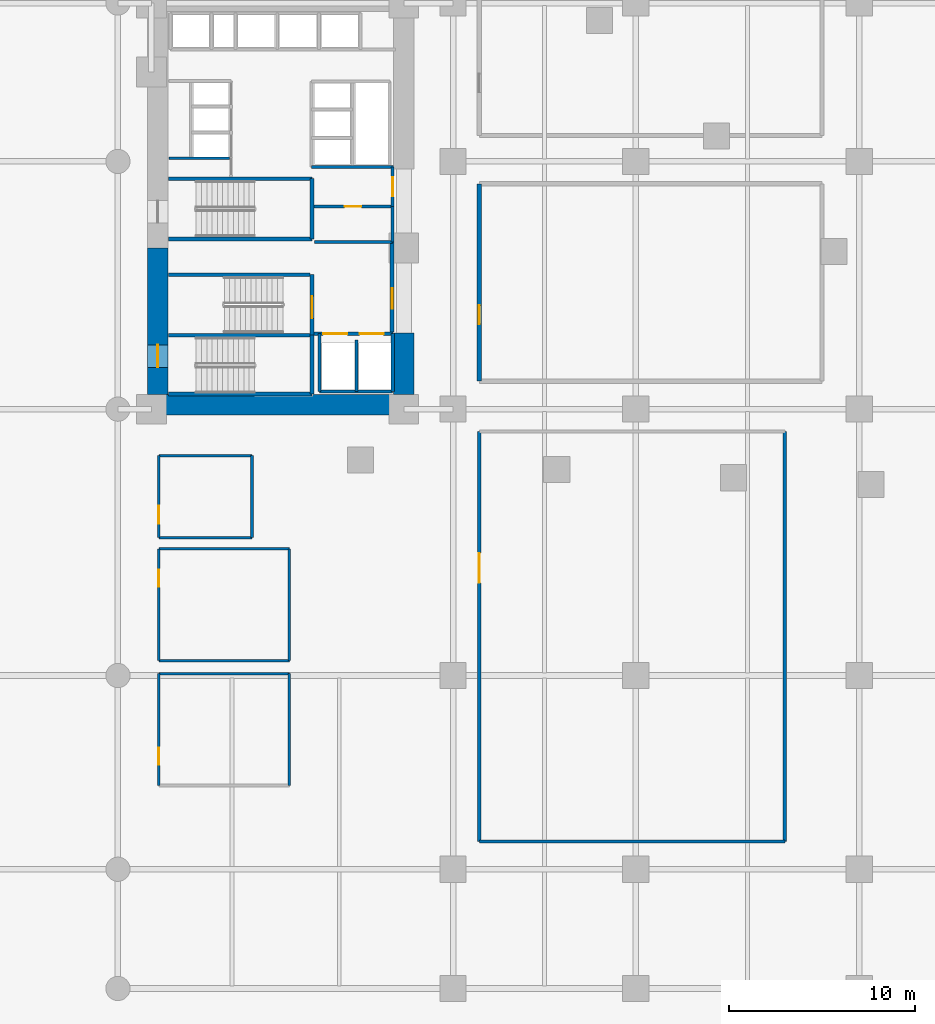
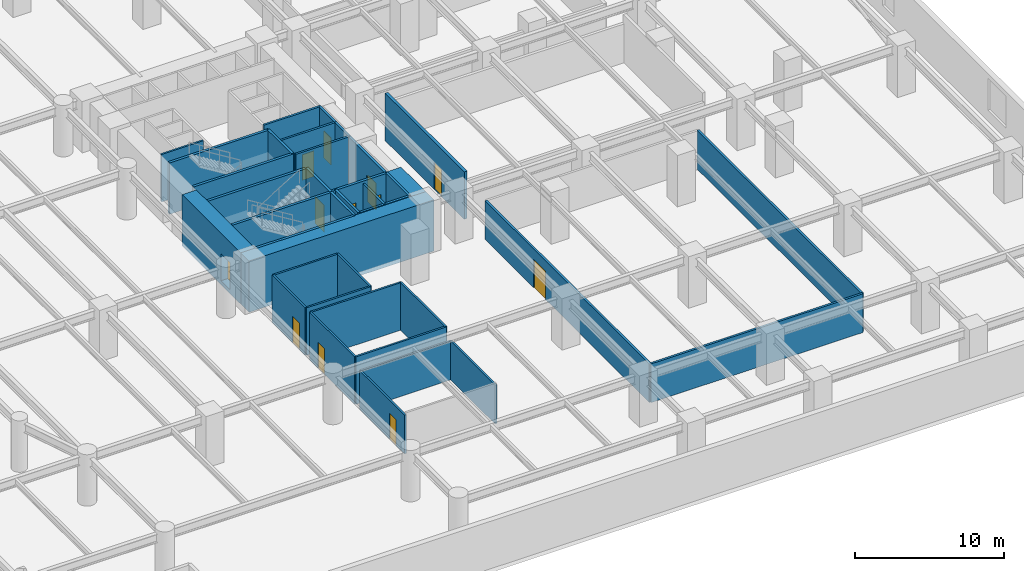
# One storey, part 7 of 22: 38 walls, 12 doors, 12 openings.
"""IFC4 building model written with IfcOpenShell, lengths in metres."""

from ifc_helpers import new_model, si_unit, direction, frame, frame_2d, origin, place, context, subcontext, project, spatial, rectangle, extrude, material, layer, layer_set, type_object, element, fill, save


model = new_model("IFC4")

# Units and contexts
model_context = context("Model", 3, precision=1e-05, world=origin(), true_north=direction((0.0, 1.0)))
body_context = subcontext(model_context, "Body", "Model", "MODEL_VIEW")
ifc_project = project(units=[si_unit("LENGTHUNIT", "METRE"), si_unit("AREAUNIT", "SQUARE_METRE"), si_unit("VOLUMEUNIT", "CUBIC_METRE"), si_unit("PLANEANGLEUNIT", "RADIAN"), si_unit("MASSUNIT", "GRAM", prefix="KILO")], contexts=[model_context])

# Site, building, storey
site_placement = place(None, origin())
site = spatial("IfcSite", under=ifc_project, at=site_placement, CompositionType="ELEMENT")
building_placement = place(site_placement, origin())
building = spatial("IfcBuilding", under=site, at=building_placement, Name="Narakoshi Arena Tower", CompositionType="ELEMENT")
storey_placement = place(building_placement, frame((0.0, 0.0, 13.199951171875)))
storey = spatial("IfcBuildingStorey", under=building, at=storey_placement, Name="L03", CompositionType="ELEMENT", Elevation=13.199951171875)

# Wall, opening, door
ifc_material_1 = material(Name="Concrete C40/50", Category="concrete")
ifc_layer_1 = layer(ifc_material_1, 0.219970703125)
ifc_layer_set_1 = layer_set([ifc_layer_1], Name="Concrete C40/50")
wall_type_1 = type_object("IfcWallType", Name="WL-COMP-220", PredefinedType="SOLIDWALL", material=ifc_layer_set_1)
wall_1_placement = place(storey_placement, frame((89.60009765625, 46.800048828125, 0.0), z_axis=(0.0, 0.0, 1.0), x_axis=(0.0, -1.0, 0.0)))
wall_1 = element("IfcWall", 1, at=wall_1_placement, inside=storey, type_object=wall_type_1, Name="L03 Television Broadcast Studio 1 Wall W", PredefinedType="SOLIDWALL", context=body_context, shape_type="SweptSolid", body=[
    extrude(rectangle(XDim=10.60009765625, YDim=0.219970703125, at=frame_2d((5.300048828125, 0.0))), origin(), (0.0, 0.0, 1.0), 3.880126953125),
])
opening_1_placement = place(wall_1_placement, frame((6.528076171875, 0.0, 0.0)))
opening_1 = element("IfcOpeningElement", 2, at=opening_1_placement, cuts=wall_1, Name="Opening D-06", PredefinedType="OPENING", context=body_context, shape_type="SweptSolid", body=[
    extrude(rectangle(XDim=1.0, YDim=2.199951171875, at=frame_2d((0.5, 1.10009765625))), frame((0.0, 0.119873046875, 0.0), z_axis=(0.0, -1.0, 0.0), x_axis=(1.0, 0.0, 0.0)), (0.0, 0.0, 1.0), 0.239990234375),
])
ifc_material_2 = material(Name="Stained oak solid-core timber", Category="wood")
door_type_1 = type_object("IfcDoorType", Name="DR-OFF-1000", OperationType="NOTDEFINED", PredefinedType="DOOR", material=ifc_material_2)
door_1_placement = place(opening_1_placement, frame((1.0, 0.0, 0.0), z_axis=(0.0, 0.0, 1.0), x_axis=(-1.0, 0.0, 0.0)))
door_1 = element("IfcDoor", 3, at=door_1_placement, inside=storey, type_object=door_type_1, Name="DR-L03-026", OperationType="SINGLE_SWING_LEFT", OverallHeight=2.199951171875, OverallWidth=1.0, PredefinedType="DOOR", context=body_context, shape_type="SweptSolid", body=[
    extrude(rectangle(XDim=1.0, YDim=2.199951171875, at=frame_2d((0.5, 1.10009765625))), frame((0.0, 0.02490234375, 0.0), z_axis=(0.0, -1.0, 0.0), x_axis=(1.0, 0.0, 0.0)), (0.0, 0.0, 1.0), 0.050048828125),
])
fill(opening_1, door_1)

ifc_material_3 = material(Name="Concrete C60/75", Category="concrete")
ifc_layer_2 = layer(ifc_material_3, 1.10009765625)
ifc_layer_set_2 = layer_set([ifc_layer_2], Name="Concrete C60/75")
wall_type_2 = type_object("IfcWallType", Name="WL-CORE-1100", PredefinedType="SHEAR", material=ifc_layer_set_2)
wall_2_placement = place(storey_placement, frame((72.35009765625, 35.5, -0.320068359375), z_axis=(0.0, 0.0, 1.0), x_axis=(0.0, 1.0, 0.0)))
wall_2 = element("IfcWall", 4, at=wall_2_placement, inside=storey, type_object=wall_type_2, Name="L03 Central Core Shear Wall CW-APX-W", PredefinedType="SHEAR", context=body_context, shape_type="SweptSolid", body=[
    extrude(rectangle(XDim=7.85009765625, YDim=1.10009765625, at=frame_2d((3.925048828125, 0.0))), origin(), (0.0, 0.0, 1.0), 4.2001953125),
])
opening_2_placement = place(wall_2_placement, frame((1.449951171875, 0.0, 0.320068359375)))
opening_2 = element("IfcOpeningElement", 5, at=opening_2_placement, cuts=wall_2, Name="Opening D-03", PredefinedType="OPENING", context=body_context, shape_type="SweptSolid", body=[
    extrude(rectangle(XDim=1.199951171875, YDim=2.199951171875, at=frame_2d((0.60009765625, 1.10009765625))), frame((0.0, 0.56005859375, 0.0), z_axis=(0.0, -1.0, 0.0), x_axis=(1.0, 0.0, 0.0)), (0.0, 0.0, 1.0), 1.1201171875),
])
ifc_material_4 = material(Name="Painted galvanized steel", Category="steel")
door_type_2 = type_object("IfcDoorType", Name="DR-STR-1200", OperationType="NOTDEFINED", PredefinedType="USERDEFINED", material=ifc_material_4)
door_2_placement = place(opening_2_placement, frame((1.199951171875, 0.0, 0.0), z_axis=(0.0, 0.0, 1.0), x_axis=(-1.0, 0.0, 0.0)))
door_2 = element("IfcDoor", 6, at=door_2_placement, inside=storey, type_object=door_type_2, Name="DR-L03-001", ObjectType="EXITDOOR", OperationType="SINGLE_SWING_LEFT", OverallHeight=2.199951171875, OverallWidth=1.199951171875, PredefinedType="USERDEFINED", context=body_context, shape_type="SweptSolid", body=[
    extrude(rectangle(XDim=1.199951171875, YDim=2.199951171875, at=frame_2d((0.60009765625, 1.10009765625))), frame((0.0, 0.02490234375, 0.0), z_axis=(0.0, -1.0, 0.0), x_axis=(1.0, 0.0, 0.0)), (0.0, 0.0, 1.0), 0.050048828125),
])
fill(opening_2, door_2)

# Walls
wall_3_placement = place(storey_placement, frame((71.800048828125, 34.949951171875, -0.320068359375), z_axis=(0.0, 0.0, 1.0), x_axis=(1.0, 0.0, 0.0)))
element("IfcWall", 7, at=wall_3_placement, inside=storey, type_object=wall_type_2, Name="L03 Central Core Shear Wall CW-APX-S", PredefinedType="SHEAR", context=body_context, shape_type="SweptSolid", body=[
    extrude(rectangle(XDim=14.300048828125, YDim=1.10009765625, at=frame_2d((7.14990234375, 0.0))), origin(), (0.0, 0.0, 1.0), 4.2001953125),
])
wall_4_placement = place(storey_placement, frame((85.550048828125, 35.5, -0.320068359375), z_axis=(0.0, 0.0, 1.0), x_axis=(0.0, 1.0, 0.0)))
element("IfcWall", 8, at=wall_4_placement, inside=storey, type_object=wall_type_2, Name="L03 Central Core Shear Wall CW-APX-E", PredefinedType="SHEAR", context=body_context, shape_type="SweptSolid", body=[
    extrude(rectangle(XDim=3.300048828125, YDim=1.10009765625, at=frame_2d((1.64990234375, 0.0))), origin(), (0.0, 0.0, 1.0), 4.2001953125),
])

# Wall, opening, door
ifc_material_5 = material(Name="Gypsum plasterboard fire-rated partition")
ifc_layer_3 = layer(ifc_material_5, 0.1650390625)
ifc_layer_set_3 = layer_set([ifc_layer_3], Name="Gypsum plasterboard fire-rated partition")
wall_type_3 = type_object("IfcWallType", Name="WL-CORR-165", PredefinedType="PARTITIONING", material=ifc_layer_set_3)
wall_5_placement = place(storey_placement, frame((84.949951171875, 45.580078125, 0.0), z_axis=(0.0, 0.0, 1.0), x_axis=(0.0, 1.0, 0.0)))
wall_5 = element("IfcWall", 9, at=wall_5_placement, inside=storey, type_object=wall_type_3, Name="L03 Core Wall CPAS-E", PredefinedType="PARTITIONING", context=body_context, shape_type="SweptSolid", body=[
    extrude(rectangle(XDim=2.119873046875, YDim=0.1650390625, at=frame_2d((1.06005859375, 0.0))), origin(), (0.0, 0.0, 1.0), 3.880126953125),
])
opening_3_placement = place(wall_5_placement, frame((0.56005859375, 0.0, 0.0)))
opening_3 = element("IfcOpeningElement", 10, at=opening_3_placement, cuts=wall_5, Name="Opening D-06", PredefinedType="OPENING", context=body_context, shape_type="SweptSolid", body=[
    extrude(rectangle(XDim=1.0, YDim=2.199951171875, at=frame_2d((0.5, 1.10009765625))), frame((0.0, 0.092529296875, 0.0), z_axis=(0.0, -1.0, 0.0), x_axis=(1.0, 0.0, 0.0)), (0.0, 0.0, 1.0), 0.18505859375),
])
door_3_placement = place(opening_3_placement, frame((1.0, 0.0, 0.0), z_axis=(0.0, 0.0, 1.0), x_axis=(-1.0, 0.0, 0.0)))
door_3 = element("IfcDoor", 11, at=door_3_placement, inside=storey, type_object=door_type_1, Name="DR-L03-007", OperationType="SINGLE_SWING_LEFT", OverallHeight=2.199951171875, OverallWidth=1.0, PredefinedType="DOOR", context=body_context, shape_type="SweptSolid", body=[
    extrude(rectangle(XDim=1.0, YDim=2.199951171875, at=frame_2d((0.5, 1.10009765625))), frame((0.0, 0.02490234375, 0.0), z_axis=(0.0, -1.0, 0.0), x_axis=(1.0, 0.0, 0.0)), (0.0, 0.0, 1.0), 0.050048828125),
])
fill(opening_3, door_3)

# Walls
wall_6_placement = place(storey_placement, frame((89.60009765625, 11.5, 0.0), z_axis=(0.0, 0.0, 1.0), x_axis=(1.0, 0.0, 0.0)))
element("IfcWall", 12, at=wall_6_placement, inside=storey, type_object=wall_type_3, Name="L03 International Press Briefing Hall Wall S", PredefinedType="PARTITIONING", context=body_context, shape_type="SweptSolid", body=[
    extrude(rectangle(XDim=16.39990234375, YDim=0.1650390625, at=frame_2d((8.199951171875, 0.0))), origin(), (0.0, 0.0, 1.0), 3.1650390625),
])
wall_7_placement = place(storey_placement, frame((106.0, 11.5, 0.0), z_axis=(0.0, 0.0, 1.0), x_axis=(0.0, 1.0, 0.0)))
element("IfcWall", 13, at=wall_7_placement, inside=storey, type_object=wall_type_3, Name="L03 International Press Briefing Hall Wall E", PredefinedType="PARTITIONING", context=body_context, shape_type="SweptSolid", body=[
    extrude(rectangle(XDim=22.0, YDim=0.1650390625, at=frame_2d((11.0, 0.0))), origin(), (0.0, 0.0, 1.0), 3.1650390625),
])

# Wall, opening, door
wall_8_placement = place(storey_placement, frame((89.60009765625, 33.5, 0.0), z_axis=(0.0, 0.0, 1.0), x_axis=(0.0, -1.0, 0.0)))
wall_8 = element("IfcWall", 14, at=wall_8_placement, inside=storey, type_object=wall_type_3, Name="L03 International Press Briefing Hall Wall W", PredefinedType="PARTITIONING", context=body_context, shape_type="SweptSolid", body=[
    extrude(rectangle(XDim=22.0, YDim=0.1650390625, at=frame_2d((11.0, 0.0))), origin(), (0.0, 0.0, 1.0), 3.1650390625),
])
opening_4_placement = place(wall_8_placement, frame((6.528076171875, 0.0, 0.0)))
opening_4 = element("IfcOpeningElement", 15, at=opening_4_placement, cuts=wall_8, Name="Opening D-05", PredefinedType="OPENING", context=body_context, shape_type="SweptSolid", body=[
    extrude(rectangle(XDim=1.60009765625, YDim=2.300048828125, at=frame_2d((0.800048828125, 1.14990234375))), frame((0.0, 0.092529296875, 0.0), z_axis=(0.0, -1.0, 0.0), x_axis=(1.0, 0.0, 0.0)), (0.0, 0.0, 1.0), 0.18505859375),
])
door_type_3 = type_object("IfcDoorType", Name="DR-STE-1600", OperationType="DOUBLE_DOOR_SINGLE_SWING", PredefinedType="DOOR", material=ifc_material_2)
door_4_placement = place(opening_4_placement, frame((1.60009765625, 0.0, 0.0), z_axis=(0.0, 0.0, 1.0), x_axis=(-1.0, 0.0, 0.0)))
door_4 = element("IfcDoor", 16, at=door_4_placement, inside=storey, type_object=door_type_3, Name="DR-L03-025", OperationType="DOUBLE_DOOR_SINGLE_SWING", OverallHeight=2.300048828125, OverallWidth=1.60009765625, PredefinedType="DOOR", context=body_context, shape_type="SweptSolid", body=[
    extrude(rectangle(XDim=1.60009765625, YDim=2.300048828125, at=frame_2d((0.800048828125, 1.14990234375))), frame((0.0, 0.02490234375, 0.0), z_axis=(0.0, -1.0, 0.0), x_axis=(1.0, 0.0, 0.0)), (0.0, 0.0, 1.0), 0.050048828125),
])
fill(opening_4, door_4)

# Walls
ifc_layer_4 = layer(ifc_material_1, 0.280029296875)
ifc_layer_set_4 = layer_set([ifc_layer_4], Name="Concrete C40/50")
wall_type_4 = type_object("IfcWallType", Name="WL-RISER-280", PredefinedType="PLUMBINGWALL", material=ifc_layer_set_4)
wall_9_placement = place(storey_placement, frame((83.0, 35.64990234375, 0.0), z_axis=(0.0, 0.0, 1.0), x_axis=(0.0, 1.0, 0.0)))
element("IfcWall", 17, at=wall_9_placement, inside=storey, type_object=wall_type_4, Name="L03 Core Wall FF-DIV", PredefinedType="PLUMBINGWALL", context=body_context, shape_type="SweptSolid", body=[
    extrude(rectangle(XDim=2.75, YDim=0.159912109375, at=frame_2d((1.375, 0.0))), origin(), (0.0, 0.0, 1.0), 3.880126953125),
])
wall_10_placement = place(storey_placement, frame((84.949951171875, 43.679931640625, 0.0), z_axis=(0.0, 0.0, 1.0), x_axis=(0.0, 1.0, 0.0)))
element("IfcWall", 18, at=wall_10_placement, inside=storey, type_object=wall_type_4, Name="L03 Core Wall RSR-E", PredefinedType="PLUMBINGWALL", context=body_context, shape_type="SweptSolid", body=[
    extrude(rectangle(XDim=1.900146484375, YDim=0.1650390625, at=frame_2d((0.9501953125, 0.0))), origin(), (0.0, 0.0, 1.0), 3.880126953125),
])

# Wall, opening, door
wall_11_placement = place(storey_placement, frame((80.719970703125, 45.580078125, 0.0), z_axis=(0.0, 0.0, 1.0), x_axis=(1.0, 0.0, 0.0)))
wall_11 = element("IfcWall", 19, at=wall_11_placement, inside=storey, type_object=wall_type_4, Name="L03 Core Wall RSR-N", PredefinedType="PLUMBINGWALL", context=body_context, shape_type="SweptSolid", body=[
    extrude(rectangle(XDim=4.22998046875, YDim=0.159912109375, at=frame_2d((2.114990234375, 0.0))), origin(), (0.0, 0.0, 1.0), 3.880126953125),
])
opening_5_placement = place(wall_11_placement, frame((1.64990234375, 0.0, 0.0)))
opening_5 = element("IfcOpeningElement", 20, at=opening_5_placement, cuts=wall_11, Name="Opening D-08", PredefinedType="OPENING", context=body_context, shape_type="SweptSolid", body=[
    extrude(rectangle(XDim=0.89990234375, YDim=2.10009765625, at=frame_2d((0.449951171875, 1.050048828125))), frame((0.0, 0.08984375, 0.0), z_axis=(0.0, -1.0, 0.0), x_axis=(1.0, 0.0, 0.0)), (0.0, 0.0, 1.0), 0.179931640625),
])
ifc_material_6 = material(Name="Moisture-resistant laminate timber", Category="wood")
door_type_4 = type_object("IfcDoorType", Name="DR-WC-900", OperationType="NOTDEFINED", PredefinedType="DOOR", material=ifc_material_6)
door_5_placement = place(opening_5_placement, frame((0.89990234375, 0.0, 0.0), z_axis=(0.0, 0.0, 1.0), x_axis=(-1.0, 0.0, 0.0)))
door_5 = element("IfcDoor", 21, at=door_5_placement, inside=storey, type_object=door_type_4, Name="DR-L03-008", OperationType="SINGLE_SWING_LEFT", OverallHeight=2.10009765625, OverallWidth=0.89990234375, PredefinedType="DOOR", context=body_context, shape_type="SweptSolid", body=[
    extrude(rectangle(XDim=0.89990234375, YDim=2.10009765625, at=frame_2d((0.449951171875, 1.050048828125))), frame((0.0, 0.02490234375, 0.0), z_axis=(0.0, -1.0, 0.0), x_axis=(1.0, 0.0, 0.0)), (0.0, 0.0, 1.0), 0.050048828125),
])
fill(opening_5, door_5)

# Walls
wall_12_placement = place(storey_placement, frame((80.760009765625, 43.679931640625, 0.0), z_axis=(0.0, 0.0, 1.0), x_axis=(1.0, 0.0, 0.0)))
element("IfcWall", 22, at=wall_12_placement, inside=storey, type_object=wall_type_4, Name="L03 Core Wall RSR-S", PredefinedType="PLUMBINGWALL", context=body_context, shape_type="SweptSolid", body=[
    extrude(rectangle(XDim=4.18994140625, YDim=0.159912109375, at=frame_2d((2.094970703125, 0.0))), origin(), (0.0, 0.0, 1.0), 3.880126953125),
])
wall_13_placement = place(storey_placement, frame((72.949951171875, 48.159912109375, 0.0), z_axis=(0.0, 0.0, 1.0), x_axis=(1.0, 0.0, 0.0)))
element("IfcWall", 23, at=wall_13_placement, inside=storey, type_object=wall_type_4, Name="L03 Core Wall LR-S0", PredefinedType="PLUMBINGWALL", context=body_context, shape_type="SweptSolid", body=[
    extrude(rectangle(XDim=3.239990234375, YDim=0.139892578125, at=frame_2d((1.6201171875, 0.0))), origin(), (0.0, 0.0, 1.0), 3.880126953125),
])
ifc_material_7 = material(Name="Concrete C50/60", Category="concrete")
ifc_layer_5 = layer(ifc_material_7, 0.35009765625)
ifc_layer_set_5 = layer_set([ifc_layer_5], Name="Concrete C50/60")
wall_type_5 = type_object("IfcWallType", Name="WL-SHAFT-350", PredefinedType="SOLIDWALL", material=ifc_layer_set_5)
for number, where, z_axis, x_axis, name in (
    (24, (72.919921875, 35.52001953125, -0.320068359375), (0.0, 0.0, 1.0), (1.0, 0.0, 0.0), "L03 Core Wall ST1-S"),
    (25, (72.919921875, 38.675048828125, -0.320068359375), (0.0, 0.0, 1.0), (1.0, 0.0, 0.0), "L03 Core Wall ST12-DIV"),
):
    element("IfcWall", number, at=place(storey_placement, frame(where, z_axis=z_axis, x_axis=x_axis)), inside=storey, type_object=wall_type_5, Name=name, PredefinedType="SOLIDWALL", context=body_context, shape_type="SweptSolid", body=[
        extrude(rectangle(XDim=7.7001953125, YDim=0.199951171875, at=frame_2d((3.85009765625, 0.0))), origin(), (0.0, 0.0, 1.0), 4.2001953125),
    ])
wall_14_placement = place(storey_placement, frame((80.6201171875, 35.52001953125, -0.320068359375), z_axis=(0.0, 0.0, 1.0), x_axis=(0.0, 1.0, 0.0)))
element("IfcWall", 26, at=wall_14_placement, inside=storey, type_object=wall_type_5, Name="L03 Core Wall ST1-E", PredefinedType="SOLIDWALL", context=body_context, shape_type="SweptSolid", body=[
    extrude(rectangle(XDim=3.155029296875, YDim=0.199951171875, at=frame_2d((1.57763671875, 0.0))), origin(), (0.0, 0.0, 1.0), 4.2001953125),
])

# Wall, opening, door
wall_15_placement = place(storey_placement, frame((80.6201171875, 38.675048828125, -0.320068359375), z_axis=(0.0, 0.0, 1.0), x_axis=(0.0, 1.0, 0.0)))
wall_15 = element("IfcWall", 27, at=wall_15_placement, inside=storey, type_object=wall_type_5, Name="L03 Core Wall ST2-E", PredefinedType="SOLIDWALL", context=body_context, shape_type="SweptSolid", body=[
    extrude(rectangle(XDim=3.244873046875, YDim=0.199951171875, at=frame_2d((1.62255859375, 0.0))), origin(), (0.0, 0.0, 1.0), 4.2001953125),
])
opening_6_placement = place(wall_15_placement, frame((0.89990234375, 0.0, 0.320068359375)))
opening_6 = element("IfcOpeningElement", 28, at=opening_6_placement, cuts=wall_15, Name="Opening D-03", PredefinedType="OPENING", context=body_context, shape_type="SweptSolid", body=[
    extrude(rectangle(XDim=1.199951171875, YDim=2.199951171875, at=frame_2d((0.60009765625, 1.10009765625))), frame((0.0, 0.10986328125, 0.0), z_axis=(0.0, -1.0, 0.0), x_axis=(1.0, 0.0, 0.0)), (0.0, 0.0, 1.0), 0.219970703125),
])
door_6_placement = place(opening_6_placement, origin())
door_6 = element("IfcDoor", 29, at=door_6_placement, inside=storey, type_object=door_type_2, Name="DR-L03-002", ObjectType="EXITDOOR", OperationType="SINGLE_SWING_RIGHT", OverallHeight=2.199951171875, OverallWidth=1.199951171875, PredefinedType="USERDEFINED", context=body_context, shape_type="SweptSolid", body=[
    extrude(rectangle(XDim=1.199951171875, YDim=2.199951171875, at=frame_2d((0.60009765625, 1.10009765625))), frame((0.0, 0.02490234375, 0.0), z_axis=(0.0, -1.0, 0.0), x_axis=(1.0, 0.0, 0.0)), (0.0, 0.0, 1.0), 0.050048828125),
])
fill(opening_6, door_6)

# Wall, openings, doors
wall_16_placement = place(storey_placement, frame((80.719970703125, 38.75, 0.0), z_axis=(0.0, 0.0, 1.0), x_axis=(1.0, 0.0, 0.0)))
wall_16 = element("IfcWall", 30, at=wall_16_placement, inside=storey, type_object=wall_type_5, Name="L03 Core Wall FF-N", PredefinedType="SOLIDWALL", context=body_context, shape_type="SweptSolid", body=[
    extrude(rectangle(XDim=4.260009765625, YDim=0.199951171875, at=frame_2d((2.1298828125, 0.0))), origin(), (0.0, 0.0, 1.0), 3.880126953125),
])
opening_7_placement = place(wall_16_placement, frame((0.5, 0.0, 0.0)))
opening_7 = element("IfcOpeningElement", 31, at=opening_7_placement, cuts=wall_16, Name="Opening LD-02", PredefinedType="OPENING", context=body_context, shape_type="SweptSolid", body=[
    extrude(rectangle(XDim=1.300048828125, YDim=2.300048828125, at=frame_2d((0.64990234375, 1.14990234375))), frame((0.0, 0.10986328125, 0.0), z_axis=(0.0, -1.0, 0.0), x_axis=(1.0, 0.0, 0.0)), (0.0, 0.0, 1.0), 0.219970703125),
])
opening_8_placement = place(wall_16_placement, frame((2.449951171875, 0.0, 0.0)))
opening_8 = element("IfcOpeningElement", 32, at=opening_8_placement, cuts=wall_16, Name="Opening LD-02", PredefinedType="OPENING", context=body_context, shape_type="SweptSolid", body=[
    extrude(rectangle(XDim=1.300048828125, YDim=2.300048828125, at=frame_2d((0.64990234375, 1.14990234375))), frame((0.0, 0.10986328125, 0.0), z_axis=(0.0, -1.0, 0.0), x_axis=(1.0, 0.0, 0.0)), (0.0, 0.0, 1.0), 0.219970703125),
])
ifc_material_8 = material(Name="Brushed bronze stainless steel", Category="steel")
door_type_5 = type_object("IfcDoorType", Name="DR-LFT-1300", OperationType="DOUBLE_DOOR_SLIDING", PredefinedType="DOOR", material=ifc_material_8)
door_7_placement = place(opening_7_placement, origin())
door_7 = element("IfcDoor", 33, at=door_7_placement, inside=storey, type_object=door_type_5, Name="DR-L03-003", OperationType="DOUBLE_DOOR_SLIDING", OverallHeight=2.300048828125, OverallWidth=1.300048828125, PredefinedType="DOOR", context=body_context, shape_type="SweptSolid", body=[
    extrude(rectangle(XDim=1.300048828125, YDim=2.300048828125, at=frame_2d((0.64990234375, 1.14990234375))), frame((0.0, 0.02490234375, 0.0), z_axis=(0.0, -1.0, 0.0), x_axis=(1.0, 0.0, 0.0)), (0.0, 0.0, 1.0), 0.050048828125),
])
fill(opening_7, door_7)
door_8_placement = place(opening_8_placement, origin())
door_8 = element("IfcDoor", 34, at=door_8_placement, inside=storey, type_object=door_type_5, Name="DR-L03-004", OperationType="DOUBLE_DOOR_SLIDING", OverallHeight=2.300048828125, OverallWidth=1.300048828125, PredefinedType="DOOR", context=body_context, shape_type="SweptSolid", body=[
    extrude(rectangle(XDim=1.300048828125, YDim=2.300048828125, at=frame_2d((0.64990234375, 1.14990234375))), frame((0.0, 0.02490234375, 0.0), z_axis=(0.0, -1.0, 0.0), x_axis=(1.0, 0.0, 0.0)), (0.0, 0.0, 1.0), 0.050048828125),
])
fill(opening_8, door_8)

# Walls
for number, where, z_axis, x_axis, name in (
    (35, (84.949951171875, 35.64990234375, 0.0), (0.0, 0.0, 1.0), (0.0, 1.0, 0.0), "L03 Core Wall FF-E"),
    (36, (81.02001953125, 35.64990234375, 0.0), (0.0, 0.0, 1.0), (0.0, 1.0, 0.0), "L03 Core Wall FF-W"),
):
    element("IfcWall", number, at=place(storey_placement, frame(where, z_axis=z_axis, x_axis=x_axis)), inside=storey, type_object=wall_type_5, Name=name, PredefinedType="SOLIDWALL", context=body_context, shape_type="SweptSolid", body=[
        extrude(rectangle(XDim=3.10009765625, YDim=0.179931640625, at=frame_2d((1.550048828125, 0.0))), origin(), (0.0, 0.0, 1.0), 3.880126953125),
    ])
wall_17_placement = place(storey_placement, frame((81.02001953125, 35.64990234375, 0.0), z_axis=(0.0, 0.0, 1.0), x_axis=(1.0, 0.0, 0.0)))
element("IfcWall", 37, at=wall_17_placement, inside=storey, type_object=wall_type_5, Name="L03 Core Wall FF-S", PredefinedType="SOLIDWALL", context=body_context, shape_type="SweptSolid", body=[
    extrude(rectangle(XDim=3.929931640625, YDim=0.179931640625, at=frame_2d((1.96484375, 0.0))), origin(), (0.0, 0.0, 1.0), 3.880126953125),
])

# Wall, opening, door
wall_18_placement = place(storey_placement, frame((84.919921875, 38.85009765625, 0.0), z_axis=(0.0, 0.0, 1.0), x_axis=(0.0, 1.0, 0.0)))
wall_18 = element("IfcWall", 38, at=wall_18_placement, inside=storey, type_object=wall_type_5, Name="L03 Core Wall FFLOB-E", PredefinedType="SOLIDWALL", context=body_context, shape_type="SweptSolid", body=[
    extrude(rectangle(XDim=4.829833984375, YDim=0.199951171875, at=frame_2d((2.4150390625, 0.0))), origin(), (0.0, 0.0, 1.0), 3.880126953125),
])
opening_9_placement = place(wall_18_placement, frame((1.25, 0.0, 0.0)))
opening_9 = element("IfcOpeningElement", 39, at=opening_9_placement, cuts=wall_18, Name="Opening D-04", PredefinedType="OPENING", context=body_context, shape_type="SweptSolid", body=[
    extrude(rectangle(XDim=1.10009765625, YDim=2.199951171875, at=frame_2d((0.550048828125, 1.10009765625))), frame((0.0, 0.10986328125, 0.0), z_axis=(0.0, -1.0, 0.0), x_axis=(1.0, 0.0, 0.0)), (0.0, 0.0, 1.0), 0.219970703125),
])
door_type_6 = type_object("IfcDoorType", Name="DR-FFL-1100", OperationType="NOTDEFINED", PredefinedType="DOOR", material=ifc_material_4)
door_9_placement = place(opening_9_placement, frame((1.10009765625, 0.0, 0.0), z_axis=(0.0, 0.0, 1.0), x_axis=(-1.0, 0.0, 0.0)))
door_9 = element("IfcDoor", 40, at=door_9_placement, inside=storey, type_object=door_type_6, Name="DR-L03-005", OperationType="SINGLE_SWING_RIGHT", OverallHeight=2.199951171875, OverallWidth=1.10009765625, PredefinedType="DOOR", context=body_context, shape_type="SweptSolid", body=[
    extrude(rectangle(XDim=1.10009765625, YDim=2.199951171875, at=frame_2d((0.550048828125, 1.10009765625))), frame((0.0, 0.02490234375, 0.0), z_axis=(0.0, -1.0, 0.0), x_axis=(1.0, 0.0, 0.0)), (0.0, 0.0, 1.0), 0.050048828125),
])
fill(opening_9, door_9)

# Walls
wall_19_placement = place(storey_placement, frame((72.919921875, 41.919921875, -0.320068359375), z_axis=(0.0, 0.0, 1.0), x_axis=(1.0, 0.0, 0.0)))
element("IfcWall", 41, at=wall_19_placement, inside=storey, type_object=wall_type_5, Name="L03 Core Wall ST2-N", PredefinedType="SOLIDWALL", context=body_context, shape_type="SweptSolid", body=[
    extrude(rectangle(XDim=7.580078125, YDim=0.199951171875, at=frame_2d((3.7900390625, 0.0))), origin(), (0.0, 0.0, 1.0), 4.2001953125),
])
for number, where, z_axis, x_axis, name in (
    (42, (72.919921875, 43.830078125, -0.320068359375), (0.0, 0.0, 1.0), (1.0, 0.0, 0.0), "L03 Core Wall ST3-S"),
    (43, (72.919921875, 47.070068359375, -0.320068359375), (0.0, 0.0, 1.0), (1.0, 0.0, 0.0), "L03 Core Wall ST3-N"),
):
    element("IfcWall", number, at=place(storey_placement, frame(where, z_axis=z_axis, x_axis=x_axis)), inside=storey, type_object=wall_type_5, Name=name, PredefinedType="SOLIDWALL", context=body_context, shape_type="SweptSolid", body=[
        extrude(rectangle(XDim=7.7001953125, YDim=0.199951171875, at=frame_2d((3.85009765625, 0.0))), origin(), (0.0, 0.0, 1.0), 4.2001953125),
    ])
wall_20_placement = place(storey_placement, frame((80.6201171875, 43.830078125, -0.320068359375), z_axis=(0.0, 0.0, 1.0), x_axis=(0.0, 1.0, 0.0)))
element("IfcWall", 44, at=wall_20_placement, inside=storey, type_object=wall_type_5, Name="L03 Core Wall ST3-E", PredefinedType="SOLIDWALL", context=body_context, shape_type="SweptSolid", body=[
    extrude(rectangle(XDim=3.239990234375, YDim=0.199951171875, at=frame_2d((1.6201171875, 0.0))), origin(), (0.0, 0.0, 1.0), 4.2001953125),
])
wall_21_placement = place(storey_placement, frame((80.60009765625, 47.699951171875, 0.0), z_axis=(0.0, 0.0, 1.0), x_axis=(1.0, 0.0, 0.0)))
element("IfcWall", 45, at=wall_21_placement, inside=storey, type_object=wall_type_5, Name="L03 Core Wall MR-S", PredefinedType="SOLIDWALL", context=body_context, shape_type="SweptSolid", body=[
    extrude(rectangle(XDim=4.39990234375, YDim=0.159912109375, at=frame_2d((2.199951171875, 0.0))), origin(), (0.0, 0.0, 1.0), 3.880126953125),
])
ifc_material_9 = material(Name="Moisture-resistant cement-board partition")
ifc_layer_6 = layer(ifc_material_9, 0.14501953125)
ifc_layer_set_6 = layer_set([ifc_layer_6], Name="Moisture-resistant cement-board partition")
wall_type_6 = type_object("IfcWallType", Name="WL-WET-145", PredefinedType="PARTITIONING", material=ifc_layer_set_6)
wall_22_placement = place(storey_placement, frame((79.39990234375, 14.5, 0.0), z_axis=(0.0, 0.0, 1.0), x_axis=(0.0, 1.0, 0.0)))
element("IfcWall", 46, at=wall_22_placement, inside=storey, type_object=wall_type_6, Name="L03 Spectator Male Restroom WC Wall E", PredefinedType="PARTITIONING", context=body_context, shape_type="SweptSolid", body=[
    extrude(rectangle(XDim=6.0, YDim=0.14501953125, at=frame_2d((3.0, 0.0))), origin(), (0.0, 0.0, 1.0), 3.1650390625),
])
wall_23_placement = place(storey_placement, frame((79.39990234375, 20.5, 0.0), z_axis=(0.0, 0.0, 1.0), x_axis=(-1.0, 0.0, 0.0)))
element("IfcWall", 47, at=wall_23_placement, inside=storey, type_object=wall_type_6, Name="L03 Spectator Male Restroom WC Wall N", PredefinedType="PARTITIONING", context=body_context, shape_type="SweptSolid", body=[
    extrude(rectangle(XDim=7.0, YDim=0.14501953125, at=frame_2d((3.5, 0.0))), origin(), (0.0, 0.0, 1.0), 3.1650390625),
])

# Wall, opening, door
wall_24_placement = place(storey_placement, frame((72.39990234375, 20.5, 0.0), z_axis=(0.0, 0.0, 1.0), x_axis=(0.0, -1.0, 0.0)))
wall_24 = element("IfcWall", 48, at=wall_24_placement, inside=storey, type_object=wall_type_6, Name="L03 Spectator Male Restroom WC Wall W", PredefinedType="PARTITIONING", context=body_context, shape_type="SweptSolid", body=[
    extrude(rectangle(XDim=6.0, YDim=0.14501953125, at=frame_2d((3.0, 0.0))), origin(), (0.0, 0.0, 1.0), 3.1650390625),
])
opening_10_placement = place(wall_24_placement, frame((3.97802734375, 0.0, 0.0)))
opening_10 = element("IfcOpeningElement", 49, at=opening_10_placement, cuts=wall_24, Name="Opening D-08", PredefinedType="OPENING", context=body_context, shape_type="SweptSolid", body=[
    extrude(rectangle(XDim=0.89990234375, YDim=2.10009765625, at=frame_2d((0.449951171875, 1.050048828125))), frame((0.0, 0.08251953125, 0.0), z_axis=(0.0, -1.0, 0.0), x_axis=(1.0, 0.0, 0.0)), (0.0, 0.0, 1.0), 0.1650390625),
])
door_10_placement = place(opening_10_placement, frame((0.89990234375, 0.0, 0.0), z_axis=(0.0, 0.0, 1.0), x_axis=(-1.0, 0.0, 0.0)))
door_10 = element("IfcDoor", 50, at=door_10_placement, inside=storey, type_object=door_type_4, Name="DR-L03-029", OperationType="SINGLE_SWING_LEFT", OverallHeight=2.10009765625, OverallWidth=0.89990234375, PredefinedType="DOOR", context=body_context, shape_type="SweptSolid", body=[
    extrude(rectangle(XDim=0.89990234375, YDim=2.10009765625, at=frame_2d((0.449951171875, 1.050048828125))), frame((0.0, 0.02490234375, 0.0), z_axis=(0.0, -1.0, 0.0), x_axis=(1.0, 0.0, 0.0)), (0.0, 0.0, 1.0), 0.050048828125),
])
fill(opening_10, door_10)

# Walls
wall_25_placement = place(storey_placement, frame((72.39990234375, 21.199951171875, 0.0), z_axis=(0.0, 0.0, 1.0), x_axis=(1.0, 0.0, 0.0)))
element("IfcWall", 51, at=wall_25_placement, inside=storey, type_object=wall_type_6, Name="L03 Spectator Female Restroom WC Wall S", PredefinedType="PARTITIONING", context=body_context, shape_type="SweptSolid", body=[
    extrude(rectangle(XDim=7.0, YDim=0.14501953125, at=frame_2d((3.5, 0.0))), origin(), (0.0, 0.0, 1.0), 3.880126953125),
])
wall_26_placement = place(storey_placement, frame((79.39990234375, 21.199951171875, 0.0), z_axis=(0.0, 0.0, 1.0), x_axis=(0.0, 1.0, 0.0)))
element("IfcWall", 52, at=wall_26_placement, inside=storey, type_object=wall_type_6, Name="L03 Spectator Female Restroom WC Wall E", PredefinedType="PARTITIONING", context=body_context, shape_type="SweptSolid", body=[
    extrude(rectangle(XDim=6.0, YDim=0.14501953125, at=frame_2d((3.0, 0.0))), origin(), (0.0, 0.0, 1.0), 3.880126953125),
])
wall_27_placement = place(storey_placement, frame((79.39990234375, 27.199951171875, 0.0), z_axis=(0.0, 0.0, 1.0), x_axis=(-1.0, 0.0, 0.0)))
element("IfcWall", 53, at=wall_27_placement, inside=storey, type_object=wall_type_6, Name="L03 Spectator Female Restroom WC Wall N", PredefinedType="PARTITIONING", context=body_context, shape_type="SweptSolid", body=[
    extrude(rectangle(XDim=7.0, YDim=0.14501953125, at=frame_2d((3.5, 0.0))), origin(), (0.0, 0.0, 1.0), 3.880126953125),
])

# Wall, opening, door
wall_28_placement = place(storey_placement, frame((72.39990234375, 27.199951171875, 0.0), z_axis=(0.0, 0.0, 1.0), x_axis=(0.0, -1.0, 0.0)))
wall_28 = element("IfcWall", 54, at=wall_28_placement, inside=storey, type_object=wall_type_6, Name="L03 Spectator Female Restroom WC Wall W", PredefinedType="PARTITIONING", context=body_context, shape_type="SweptSolid", body=[
    extrude(rectangle(XDim=6.0, YDim=0.14501953125, at=frame_2d((3.0, 0.0))), origin(), (0.0, 0.0, 1.0), 3.880126953125),
])
opening_11_placement = place(wall_28_placement, frame((1.1220703125, 0.0, 0.0)))
opening_11 = element("IfcOpeningElement", 55, at=opening_11_placement, cuts=wall_28, Name="Opening D-08", PredefinedType="OPENING", context=body_context, shape_type="SweptSolid", body=[
    extrude(rectangle(XDim=0.89990234375, YDim=2.10009765625, at=frame_2d((0.449951171875, 1.050048828125))), frame((0.0, 0.08251953125, 0.0), z_axis=(0.0, -1.0, 0.0), x_axis=(1.0, 0.0, 0.0)), (0.0, 0.0, 1.0), 0.1650390625),
])
door_11_placement = place(opening_11_placement, frame((0.89990234375, 0.0, 0.0), z_axis=(0.0, 0.0, 1.0), x_axis=(-1.0, 0.0, 0.0)))
door_11 = element("IfcDoor", 56, at=door_11_placement, inside=storey, type_object=door_type_4, Name="DR-L03-030", OperationType="SINGLE_SWING_RIGHT", OverallHeight=2.10009765625, OverallWidth=0.89990234375, PredefinedType="DOOR", context=body_context, shape_type="SweptSolid", body=[
    extrude(rectangle(XDim=0.89990234375, YDim=2.10009765625, at=frame_2d((0.449951171875, 1.050048828125))), frame((0.0, 0.02490234375, 0.0), z_axis=(0.0, -1.0, 0.0), x_axis=(1.0, 0.0, 0.0)), (0.0, 0.0, 1.0), 0.050048828125),
])
fill(opening_11, door_11)

# Walls
wall_29_placement = place(storey_placement, frame((72.39990234375, 27.800048828125, 0.0), z_axis=(0.0, 0.0, 1.0), x_axis=(1.0, 0.0, 0.0)))
element("IfcWall", 57, at=wall_29_placement, inside=storey, type_object=wall_type_6, Name="L03 Spectator Accessible Restroom WC Wall S", PredefinedType="PARTITIONING", context=body_context, shape_type="SweptSolid", body=[
    extrude(rectangle(XDim=5.0, YDim=0.14501953125, at=frame_2d((2.5, 0.0))), origin(), (0.0, 0.0, 1.0), 3.880126953125),
])
wall_30_placement = place(storey_placement, frame((77.39990234375, 27.800048828125, 0.0), z_axis=(0.0, 0.0, 1.0), x_axis=(0.0, 1.0, 0.0)))
element("IfcWall", 58, at=wall_30_placement, inside=storey, type_object=wall_type_6, Name="L03 Spectator Accessible Restroom WC Wall E", PredefinedType="PARTITIONING", context=body_context, shape_type="SweptSolid", body=[
    extrude(rectangle(XDim=4.39990234375, YDim=0.14501953125, at=frame_2d((2.199951171875, 0.0))), origin(), (0.0, 0.0, 1.0), 3.880126953125),
])
wall_31_placement = place(storey_placement, frame((77.39990234375, 32.199951171875, 0.0), z_axis=(0.0, 0.0, 1.0), x_axis=(-1.0, 0.0, 0.0)))
element("IfcWall", 59, at=wall_31_placement, inside=storey, type_object=wall_type_6, Name="L03 Spectator Accessible Restroom WC Wall N", PredefinedType="PARTITIONING", context=body_context, shape_type="SweptSolid", body=[
    extrude(rectangle(XDim=5.0, YDim=0.14501953125, at=frame_2d((2.5, 0.0))), origin(), (0.0, 0.0, 1.0), 3.880126953125),
])

# Wall, opening, door
wall_32_placement = place(storey_placement, frame((72.39990234375, 32.199951171875, 0.0), z_axis=(0.0, 0.0, 1.0), x_axis=(0.0, -1.0, 0.0)))
wall_32 = element("IfcWall", 60, at=wall_32_placement, inside=storey, type_object=wall_type_6, Name="L03 Spectator Accessible Restroom WC Wall W", PredefinedType="PARTITIONING", context=body_context, shape_type="SweptSolid", body=[
    extrude(rectangle(XDim=4.39990234375, YDim=0.14501953125, at=frame_2d((2.199951171875, 0.0))), origin(), (0.0, 0.0, 1.0), 3.880126953125),
])
opening_12_placement = place(wall_32_placement, frame((2.69091796875, 0.0, 0.0)))
opening_12 = element("IfcOpeningElement", 61, at=opening_12_placement, cuts=wall_32, Name="Opening D-07", PredefinedType="OPENING", context=body_context, shape_type="SweptSolid", body=[
    extrude(rectangle(XDim=0.949951171875, YDim=2.14990234375, at=frame_2d((0.47509765625, 1.074951171875))), frame((0.0, 0.08251953125, 0.0), z_axis=(0.0, -1.0, 0.0), x_axis=(1.0, 0.0, 0.0)), (0.0, 0.0, 1.0), 0.1650390625),
])
door_type_7 = type_object("IfcDoorType", Name="DR-ACC-950", OperationType="NOTDEFINED", PredefinedType="DOOR", material=ifc_material_2)
door_12_placement = place(opening_12_placement, frame((0.949951171875, 0.0, 0.0), z_axis=(0.0, 0.0, 1.0), x_axis=(-1.0, 0.0, 0.0)))
door_12 = element("IfcDoor", 62, at=door_12_placement, inside=storey, type_object=door_type_7, Name="DR-L03-031", OperationType="SINGLE_SWING_LEFT", OverallHeight=2.14990234375, OverallWidth=0.949951171875, PredefinedType="DOOR", context=body_context, shape_type="SweptSolid", body=[
    extrude(rectangle(XDim=0.949951171875, YDim=2.14990234375, at=frame_2d((0.47509765625, 1.074951171875))), frame((0.0, 0.02490234375, 0.0), z_axis=(0.0, -1.0, 0.0), x_axis=(1.0, 0.0, 0.0)), (0.0, 0.0, 1.0), 0.050048828125),
])
fill(opening_12, door_12)

save(model, "model.ifc")
